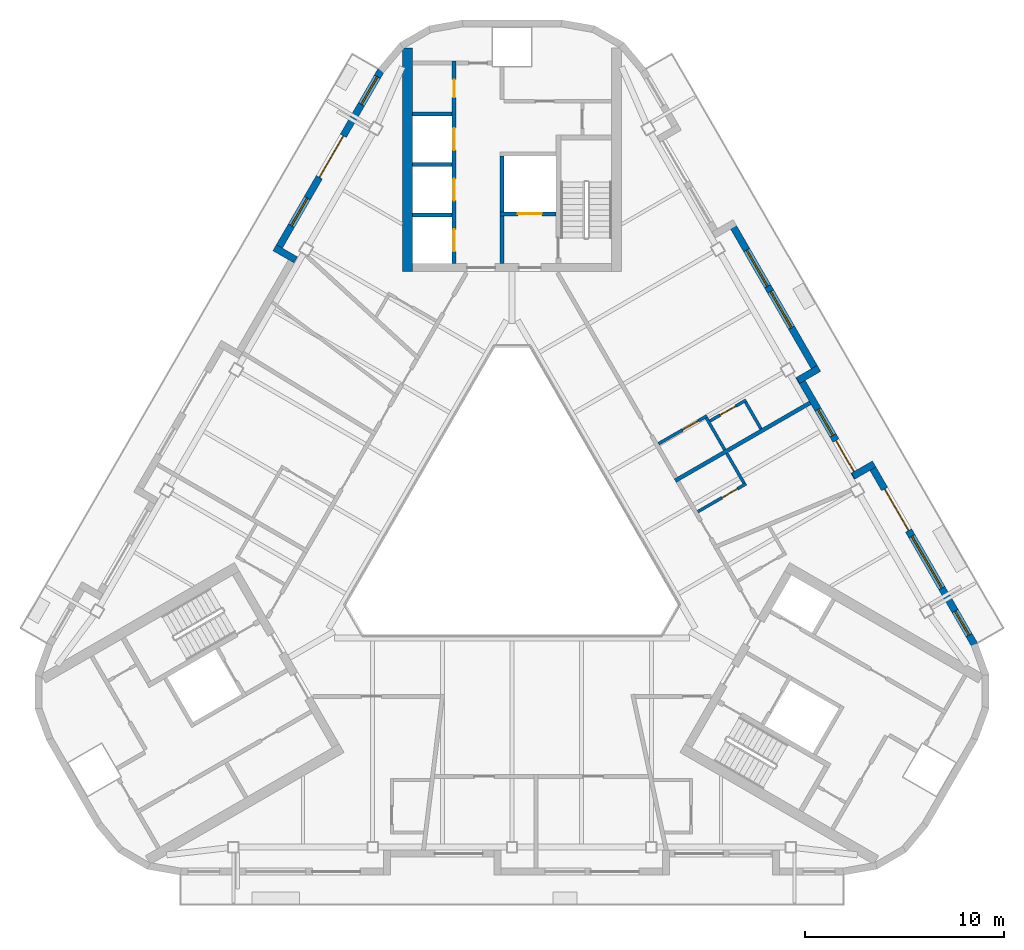
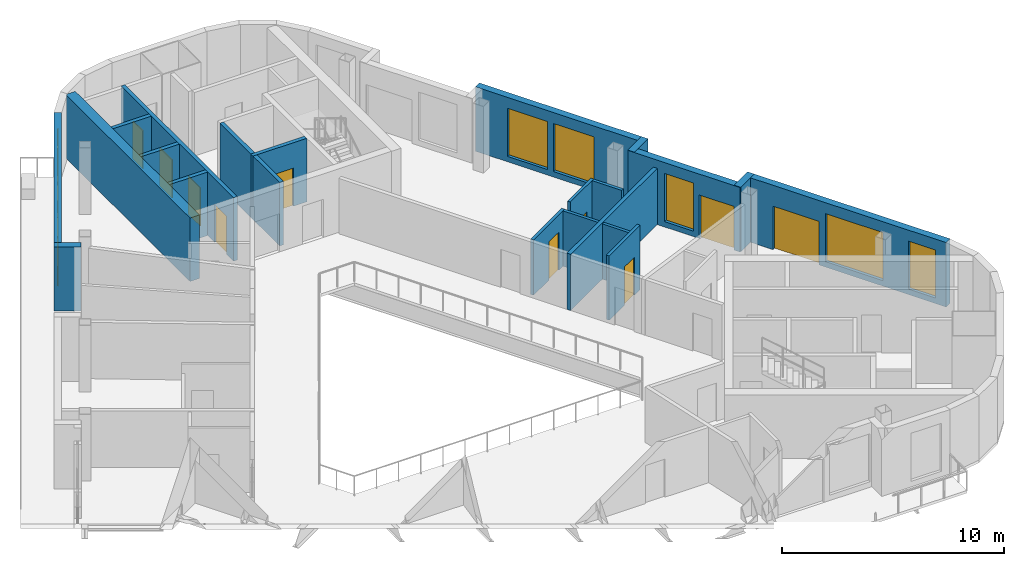
# One storey, part 6 of 12: 22 walls, 11 doors, 7 windows, 18 openings.
"""IFC4 building model written with IfcOpenShell, lengths in metres."""

import ifcopenshell
import ifcopenshell.guid

model = None  # the IFC model being written
_history = None  # IfcOwnerHistory: only IFC2X3 demands one
_inside = {}  # id of a spatial element -> (the spatial element, [elements in it])
_under = {}  # id of a project, library or spatial element -> (it, [spatial elements below it])
_declared = {}  # id of a project -> (the project, [libraries it declares])
_typed = {}  # id of a type object -> (the type object, [elements of that type])
_made_of = {}  # id of a material, layer set ... -> (it, [elements and type objects made of it])


def new_model(schema):
    """Start an empty IFC model of exactly this schema.

    Asked for "IFC4X3", IfcOpenShell would pick the latest addendum, in which some entities
    have other attributes; the version numbers below select the first issue.
    IFC2X3 requires an IfcOwnerHistory on every rooted entity: one is made here for all.
    """
    global model, _history
    if schema == "IFC4X3":
        model = ifcopenshell.file(schema_version=(4, 3, 0, 0))
    else:
        model = ifcopenshell.file(schema=schema)
    _inside.clear()
    _under.clear()
    _declared.clear()
    _typed.clear()
    _made_of.clear()
    _history = None
    if model.schema == "IFC2X3":
        org = make("IfcOrganization", Name="unknown")
        user = make(
            "IfcPersonAndOrganization",
            ThePerson=make("IfcPerson", FamilyName="unknown"),
            TheOrganization=org,
        )
        app = make(
            "IfcApplication",
            ApplicationDeveloper=org,
            Version="unknown",
            ApplicationFullName="unknown",
            ApplicationIdentifier="unknown",
        )
        _history = make(
            "IfcOwnerHistory",
            OwningUser=user,
            OwningApplication=app,
            ChangeAction="ADDED",
            CreationDate=0,
        )
    return model


def make(cls, **values):
    """One entity of the class cls with the attributes given. An attribute that is None is left unset."""
    return model.create_entity(
        cls, **{name: value for name, value in values.items() if value is not None}
    )


def rooted(cls, **values):
    """An entity with a GlobalId (a new one), such as an element, a storey or a relation."""
    return make(cls, GlobalId=ifcopenshell.guid.new(), OwnerHistory=_history, **values)


def si_unit(unit_type, name, prefix=None):
    """IfcSIUnit, for example si_unit("LENGTHUNIT", "METRE", prefix="MILLI")."""
    return make("IfcSIUnit", UnitType=unit_type, Prefix=prefix, Name=name)


def assignment(units):
    """IfcUnitAssignment: the units of a project."""
    return None if units is None else make("IfcUnitAssignment", Units=units)


def point(xyz):
    """IfcCartesianPoint."""
    return None if xyz is None else make("IfcCartesianPoint", Coordinates=xyz)


def direction(xyz):
    """IfcDirection."""
    return None if xyz is None else make("IfcDirection", DirectionRatios=xyz)


def frame(location, z_axis=None, x_axis=None):
    """IfcAxis2Placement3D, a coordinate frame: its origin and axes. An axis left out is left unset."""
    return make(
        "IfcAxis2Placement3D",
        Location=point(location),
        Axis=direction(z_axis),
        RefDirection=direction(x_axis),
    )


def frame_2d(location, x_axis=None):
    """IfcAxis2Placement2D, a coordinate frame in the plane: its origin and x axis."""
    return make(
        "IfcAxis2Placement2D", Location=point(location), RefDirection=direction(x_axis)
    )


def origin():
    """The frame at (0, 0, 0) with its axes left unset."""
    return frame((0.0, 0.0, 0.0))


def place(relative_to, where):
    """IfcLocalPlacement: puts the frame where relative to a parent placement (None: the world)."""
    return make(
        "IfcLocalPlacement", PlacementRelTo=relative_to, RelativePlacement=where
    )


def context(
    kind, dimensions, precision=None, world=None, true_north=None, identifier=None
):
    """IfcGeometricRepresentationContext, for example the 3D "Model" context."""
    return make(
        "IfcGeometricRepresentationContext",
        ContextIdentifier=identifier,
        ContextType=kind,
        CoordinateSpaceDimension=dimensions,
        Precision=precision,
        WorldCoordinateSystem=world,
        TrueNorth=true_north,
    )


def subcontext(parent, identifier, kind, view, scale=None):
    """IfcGeometricRepresentationSubContext, for example "Body" below "Model"."""
    return make(
        "IfcGeometricRepresentationSubContext",
        ContextIdentifier=identifier,
        ContextType=kind,
        ParentContext=parent,
        TargetScale=scale,
        TargetView=view,
    )


def project(units=None, contexts=None):
    """IfcProject with its units and contexts."""
    return rooted(
        "IfcProject",
        Name="project",
        RepresentationContexts=contexts,
        UnitsInContext=assignment(units),
    )


def spatial(cls, under=None, at=None, **own):
    """A site, building, storey or space (cls), placed at a placement, below another one or the project."""
    s = rooted(cls, ObjectPlacement=at, **own)
    if under is not None:
        _under.setdefault(under.id(), (under, []))[1].append(s)
    return s


def profile(cls, at=None, kind="AREA", **sizes):
    """A parametric profile (cls). Its sizes go by their IFC names, for example OverallWidth=200.0."""
    return make(cls, ProfileType=kind, Position=at, **sizes)


def rectangle(**sizes):
    """IfcRectangleProfileDef."""
    return profile("IfcRectangleProfileDef", **sizes)


def extrude(swept, where, along, depth):
    """IfcExtrudedAreaSolid: the profile swept, set in the frame where, extruded along a direction by depth."""
    return make(
        "IfcExtrudedAreaSolid",
        SweptArea=swept,
        Position=where,
        ExtrudedDirection=direction(along),
        Depth=depth,
    )


def shape(context_of_items, identifier, shape_type, items):
    """IfcShapeRepresentation: the items that make up one representation, for example the "Body"."""
    return make(
        "IfcShapeRepresentation",
        ContextOfItems=context_of_items,
        RepresentationIdentifier=identifier,
        RepresentationType=shape_type,
        Items=items,
    )


def material(Name=None, Category=None):
    """IfcMaterial."""
    return make("IfcMaterial", Name=Name, Category=Category)


def layer(
    of_material, thickness, ventilated=None, Name=None, Category=None, Priority=None
):
    """IfcMaterialLayer: one layer of a wall or slab, of a material (None: an air gap)."""
    return make(
        "IfcMaterialLayer",
        Material=of_material,
        LayerThickness=thickness,
        IsVentilated=ventilated,
        Name=Name,
        Category=Category,
        Priority=Priority,
    )


def layer_set(layers, Name=None):
    """IfcMaterialLayerSet."""
    return make("IfcMaterialLayerSet", MaterialLayers=layers, LayerSetName=Name)


def made_of(thing, what):
    """Note that an element or type object is made of a material, layer set ...; save() writes the relation."""
    if what is not None:
        _made_of.setdefault(what.id(), (what, []))[1].append(thing)
    return thing


def type_object(cls, material=None, **own):
    """A type object (cls), such as IfcWallType, which elements share."""
    return made_of(rooted(cls, **own), material)


def element(
    cls,
    number,
    at=None,
    inside=None,
    cuts=None,
    type_object=None,
    material=None,
    context=None,
    identifier="Body",
    shape_type=None,
    held_by="IfcProductDefinitionShape",
    body=None,
    shapes=None,
    **own,
):
    """One element of the class cls, such as IfcWall. Its Tag is "e" and its number.

    at: its placement. inside: the storey or other place that contains it. cuts: it is an
    opening in that element (IfcRelVoidsElement). A single representation is given by context,
    identifier, shape_type and body (its items); several are given by shapes. held_by: the class
    of the entity that holds the representations. save() writes the other relations.
    """
    e = rooted(cls, Tag="e%d" % number, ObjectPlacement=at, **own)
    if body is not None:
        shapes = [shape(context, identifier, shape_type, body)]
    if shapes is not None:
        e.Representation = make(held_by, Representations=shapes)
    if inside is not None:
        _inside.setdefault(inside.id(), (inside, []))[1].append(e)
    if cuts is not None:
        rooted(
            "IfcRelVoidsElement", RelatingBuildingElement=cuts, RelatedOpeningElement=e
        )
    if type_object is not None:
        _typed.setdefault(type_object.id(), (type_object, []))[1].append(e)
    return made_of(e, material)


def fill(opening, filler):
    """IfcRelFillsElement: the door or window that sits in an opening."""
    return rooted(
        "IfcRelFillsElement",
        RelatingOpeningElement=opening,
        RelatedBuildingElement=filler,
    )


def aggregate(whole, parts):
    """IfcRelAggregates: a whole, such as a stair, and the parts it consists of."""
    return rooted("IfcRelAggregates", RelatingObject=whole, RelatedObjects=parts)


def save(model, path):
    """Write the relations noted so far, then the file.

    IfcRelAggregates (storeys below a building ...), IfcRelContainedInSpatialStructure (elements
    in a storey), IfcRelDefinesByType, IfcRelAssociatesMaterial and IfcRelDeclares: one each for
    every whole, place, type object, material and project.
    """
    for whole, parts in _under.values():
        aggregate(whole, parts)
    for where, things in _inside.values():
        rooted(
            "IfcRelContainedInSpatialStructure",
            RelatedElements=things,
            RelatingStructure=where,
        )
    for kind, things in _typed.values():
        rooted("IfcRelDefinesByType", RelatedObjects=things, RelatingType=kind)
    for what, things in _made_of.values():
        rooted("IfcRelAssociatesMaterial", RelatedObjects=things, RelatingMaterial=what)
    for by, libraries in _declared.values():
        rooted("IfcRelDeclares", RelatingContext=by, RelatedDefinitions=libraries)
    model.write(path)


model = new_model("IFC4")

# Units and contexts
model_context = context("Model", 3, precision=1e-05, world=origin(), true_north=direction((0.0, 1.0)))
body_context = subcontext(model_context, "Body", "Model", "MODEL_VIEW")
ifc_project = project(units=[si_unit("LENGTHUNIT", "METRE"), si_unit("AREAUNIT", "SQUARE_METRE"), si_unit("VOLUMEUNIT", "CUBIC_METRE"), si_unit("PLANEANGLEUNIT", "RADIAN"), si_unit("MASSUNIT", "GRAM", prefix="KILO")], contexts=[model_context])

# Site, building, storey
site_placement = place(None, origin())
site = spatial("IfcSite", under=ifc_project, at=site_placement, CompositionType="ELEMENT")
building_placement = place(site_placement, origin())
building = spatial("IfcBuilding", under=site, at=building_placement, Name="Apuvela Tower Hotel", CompositionType="ELEMENT")
storey_placement = place(building_placement, frame((0.0, 0.0, 294.800048828125)))
storey = spatial("IfcBuildingStorey", under=building, at=storey_placement, Name="L73", CompositionType="ELEMENT", Elevation=294.800048828125)

# Wall
ifc_material_1 = material(Name="Concrete C50/60", Category="concrete")
ifc_layer_1 = layer(ifc_material_1, 0.5)
ifc_layer_set_1 = layer_set([ifc_layer_1], Name="COR-WALL-CORE-500")
wall_type_1 = type_object("IfcWallType", Name="COR-WALL-CORE-500", PredefinedType="SHEAR", material=ifc_layer_set_1)
wall_1_placement = place(storey_placement, frame((-5.25, 12.89990234375, 0.0), z_axis=(0.0, 0.0, 1.0), x_axis=(0.0, 1.0, 0.0)))
element("IfcWall", 1, at=wall_1_placement, inside=storey, type_object=wall_type_1, Name="Core wall N", PredefinedType="SHEAR", context=body_context, shape_type="SweptSolid", body=[
    extrude(rectangle(XDim=11.2216796875, YDim=0.5, at=frame_2d((5.61083984375, 0.0))), origin(), (0.0, 0.0, 1.0), 3.5),
])

# Wall, opening, door
ifc_layer_2 = layer(ifc_material_1, 0.199951171875)
ifc_layer_set_2 = layer_set([ifc_layer_2], Name="COR-WALL-SHAFT-200")
wall_type_2 = type_object("IfcWallType", Name="COR-WALL-SHAFT-200", PredefinedType="SHEAR", material=ifc_layer_set_2)
wall_2_placement = place(storey_placement, frame((2.199951171875, 15.800048828125, 0.0), z_axis=(0.0, 0.0, 1.0), x_axis=(-1.0, 0.0, 0.0)))
wall_2 = element("IfcWall", 2, at=wall_2_placement, inside=storey, type_object=wall_type_2, Name="Shaft wall N", PredefinedType="SHEAR", context=body_context, shape_type="SweptSolid", body=[
    extrude(rectangle(XDim=2.800048828125, YDim=0.199951171875, at=frame_2d((1.39990234375, 0.0))), origin(), (0.0, 0.0, 1.0), 3.5),
])
opening_1_placement = place(wall_2_placement, frame((0.699951171875, 0.0, 0.0)))
opening_1 = element("IfcOpeningElement", 3, at=opening_1_placement, cuts=wall_2, Name="Opening N-LD-FS1", PredefinedType="OPENING", context=body_context, shape_type="SweptSolid", body=[
    extrude(rectangle(XDim=1.199951171875, YDim=2.10009765625, at=frame_2d((0.60009765625, 1.050048828125))), frame((0.0, 0.10986328125, 0.0), z_axis=(0.0, -1.0, 0.0), x_axis=(1.0, 0.0, 0.0)), (0.0, 0.0, 1.0), 0.219970703125),
])
ifc_material_2 = material(Name="Stainless steel lift landing door", Category="steel")
door_type_1 = type_object("IfcDoorType", Name="COR-LD-1200", OperationType="DOUBLE_DOOR_SLIDING", PredefinedType="DOOR", material=ifc_material_2)
door_1_placement = place(opening_1_placement, origin())
door_1 = element("IfcDoor", 4, at=door_1_placement, inside=storey, type_object=door_type_1, Name="Lift landing door N-LD-FS1", OperationType="DOUBLE_DOOR_SLIDING", OverallHeight=2.10009765625, OverallWidth=1.199951171875, PredefinedType="DOOR", context=body_context, shape_type="SweptSolid", body=[
    extrude(rectangle(XDim=1.199951171875, YDim=2.10009765625, at=frame_2d((0.60009765625, 1.050048828125))), frame((0.0, 0.02490234375, 0.0), z_axis=(0.0, -1.0, 0.0), x_axis=(1.0, 0.0, 0.0)), (0.0, 0.0, 1.0), 0.050048828125),
])
fill(opening_1, door_1)

# Walls
wall_3_placement = place(storey_placement, frame((-0.5, 15.89990234375, 0.0), z_axis=(0.0, 0.0, 1.0), x_axis=(0.0, 1.0, 0.0)))
element("IfcWall", 5, at=wall_3_placement, inside=storey, type_object=wall_type_2, Name="Shaft wall N", PredefinedType="SHEAR", context=body_context, shape_type="SweptSolid", body=[
    extrude(rectangle(XDim=2.800048828125, YDim=0.199951171875, at=frame_2d((1.39990234375, 0.0))), origin(), (0.0, 0.0, 1.0), 3.5),
])
wall_4_placement = place(storey_placement, frame((-0.5, 13.300048828125, 0.0), z_axis=(0.0, 0.0, 1.0), x_axis=(0.0, 1.0, 0.0)))
element("IfcWall", 6, at=wall_4_placement, inside=storey, type_object=wall_type_2, Name="Shaft wall N", PredefinedType="SHEAR", context=body_context, shape_type="SweptSolid", body=[
    extrude(rectangle(XDim=2.39990234375, YDim=0.199951171875, at=frame_2d((1.199951171875, 0.0))), origin(), (0.0, 0.0, 1.0), 3.5),
])

# Wall, openings, doors
wall_5_placement = place(storey_placement, frame((-2.89990234375, 13.300048828125, 0.0), z_axis=(0.0, 0.0, 1.0), x_axis=(0.0, 1.0, 0.0)))
wall_5 = element("IfcWall", 7, at=wall_5_placement, inside=storey, type_object=wall_type_2, Name="Shaft wall N", PredefinedType="SHEAR", context=body_context, shape_type="SweptSolid", body=[
    extrude(rectangle(XDim=10.159912109375, YDim=0.199951171875, at=frame_2d((5.080078125, 0.0))), origin(), (0.0, 0.0, 1.0), 3.5),
])
opening_2_placement = place(wall_5_placement, frame((0.6201171875, 0.0, 0.0)))
opening_2 = element("IfcOpeningElement", 8, at=opening_2_placement, cuts=wall_5, Name="Opening N-LD-HR1", PredefinedType="OPENING", context=body_context, shape_type="SweptSolid", body=[
    extrude(rectangle(XDim=1.10009765625, YDim=2.10009765625, at=frame_2d((0.550048828125, 1.050048828125))), frame((0.0, 0.10986328125, 0.0), z_axis=(0.0, -1.0, 0.0), x_axis=(1.0, 0.0, 0.0)), (0.0, 0.0, 1.0), 0.219970703125),
])
opening_3_placement = place(wall_5_placement, frame((3.159912109375, 0.0, 0.0)))
opening_3 = element("IfcOpeningElement", 9, at=opening_3_placement, cuts=wall_5, Name="Opening N-LD-HR2", PredefinedType="OPENING", context=body_context, shape_type="SweptSolid", body=[
    extrude(rectangle(XDim=1.10009765625, YDim=2.10009765625, at=frame_2d((0.550048828125, 1.050048828125))), frame((0.0, 0.10986328125, 0.0), z_axis=(0.0, -1.0, 0.0), x_axis=(1.0, 0.0, 0.0)), (0.0, 0.0, 1.0), 0.219970703125),
])
opening_4_placement = place(wall_5_placement, frame((5.699951171875, 0.0, 0.0)))
opening_4 = element("IfcOpeningElement", 10, at=opening_4_placement, cuts=wall_5, Name="Opening N-LD-HR4", PredefinedType="OPENING", context=body_context, shape_type="SweptSolid", body=[
    extrude(rectangle(XDim=1.10009765625, YDim=2.10009765625, at=frame_2d((0.550048828125, 1.050048828125))), frame((0.0, 0.10986328125, 0.0), z_axis=(0.0, -1.0, 0.0), x_axis=(1.0, 0.0, 0.0)), (0.0, 0.0, 1.0), 0.219970703125),
])
opening_5_placement = place(wall_5_placement, frame((8.340087890625, 0.0, 0.0)))
opening_5 = element("IfcOpeningElement", 11, at=opening_5_placement, cuts=wall_5, Name="Opening N-RE4", PredefinedType="OPENING", context=body_context, shape_type="SweptSolid", body=[
    extrude(rectangle(XDim=0.89990234375, YDim=2.10009765625, at=frame_2d((0.449951171875, 1.050048828125))), frame((0.0, 0.10986328125, 0.0), z_axis=(0.0, -1.0, 0.0), x_axis=(1.0, 0.0, 0.0)), (0.0, 0.0, 1.0), 0.219970703125),
])
ifc_material_3 = material(Name="Steel fire door, powder coated", Category="steel")
door_type_2 = type_object("IfcDoorType", Name="COR-DR-900", OperationType="NOTDEFINED", PredefinedType="DOOR", material=ifc_material_3)
door_2_placement = place(opening_5_placement, origin())
door_2 = element("IfcDoor", 12, at=door_2_placement, inside=storey, type_object=door_type_2, Name="Store door N-RE4", OperationType="SINGLE_SWING_LEFT", OverallHeight=2.10009765625, OverallWidth=0.89990234375, PredefinedType="DOOR", context=body_context, shape_type="SweptSolid", body=[
    extrude(rectangle(XDim=0.89990234375, YDim=2.10009765625, at=frame_2d((0.449951171875, 1.050048828125))), frame((0.0, 0.02490234375, 0.0), z_axis=(0.0, -1.0, 0.0), x_axis=(1.0, 0.0, 0.0)), (0.0, 0.0, 1.0), 0.050048828125),
])
fill(opening_5, door_2)
door_type_3 = type_object("IfcDoorType", Name="COR-LD-1100", OperationType="DOUBLE_DOOR_SLIDING", PredefinedType="DOOR", material=ifc_material_2)
door_3_placement = place(opening_2_placement, origin())
door_3 = element("IfcDoor", 13, at=door_3_placement, inside=storey, type_object=door_type_3, Name="Lift landing door N-LD-HR1", OperationType="DOUBLE_DOOR_SLIDING", OverallHeight=2.10009765625, OverallWidth=1.10009765625, PredefinedType="DOOR", context=body_context, shape_type="SweptSolid", body=[
    extrude(rectangle(XDim=1.10009765625, YDim=2.10009765625, at=frame_2d((0.550048828125, 1.050048828125))), frame((0.0, 0.02490234375, 0.0), z_axis=(0.0, -1.0, 0.0), x_axis=(1.0, 0.0, 0.0)), (0.0, 0.0, 1.0), 0.050048828125),
])
fill(opening_2, door_3)
door_4_placement = place(opening_3_placement, origin())
door_4 = element("IfcDoor", 14, at=door_4_placement, inside=storey, type_object=door_type_3, Name="Lift landing door N-LD-HR2", OperationType="DOUBLE_DOOR_SLIDING", OverallHeight=2.10009765625, OverallWidth=1.10009765625, PredefinedType="DOOR", context=body_context, shape_type="SweptSolid", body=[
    extrude(rectangle(XDim=1.10009765625, YDim=2.10009765625, at=frame_2d((0.550048828125, 1.050048828125))), frame((0.0, 0.02490234375, 0.0), z_axis=(0.0, -1.0, 0.0), x_axis=(1.0, 0.0, 0.0)), (0.0, 0.0, 1.0), 0.050048828125),
])
fill(opening_3, door_4)
door_5_placement = place(opening_4_placement, origin())
door_5 = element("IfcDoor", 15, at=door_5_placement, inside=storey, type_object=door_type_3, Name="Lift landing door N-LD-HR4", OperationType="DOUBLE_DOOR_SLIDING", OverallHeight=2.10009765625, OverallWidth=1.10009765625, PredefinedType="DOOR", context=body_context, shape_type="SweptSolid", body=[
    extrude(rectangle(XDim=1.10009765625, YDim=2.10009765625, at=frame_2d((0.550048828125, 1.050048828125))), frame((0.0, 0.02490234375, 0.0), z_axis=(0.0, -1.0, 0.0), x_axis=(1.0, 0.0, 0.0)), (0.0, 0.0, 1.0), 0.050048828125),
])
fill(opening_4, door_5)

# Walls
for number, where, z_axis, x_axis, name in (
    (16, (-3.0, 15.739990234375, 0.0), (0.0, 0.0, 1.0), (-1.0, 0.0, 0.0), "Shaft wall N"),
    (17, (-3.0, 18.280029296875, 0.0), (0.0, 0.0, 1.0), (-1.0, 0.0, 0.0), "Shaft wall N"),
    (18, (-3.0, 20.820068359375, 0.0), (0.0, 0.0, 1.0), (-1.0, 0.0, 0.0), "Shaft wall N"),
):
    element("IfcWall", number, at=place(storey_placement, frame(where, z_axis=z_axis, x_axis=x_axis)), inside=storey, type_object=wall_type_2, Name=name, PredefinedType="SHEAR", context=body_context, shape_type="SweptSolid", body=[
        extrude(rectangle(XDim=2.0, YDim=0.199951171875, at=frame_2d((1.0, 0.0))), origin(), (0.0, 0.0, 1.0), 3.5),
    ])

# Wall, openings, door, windows
ifc_material_4 = material(Name="Concrete C40/50, dark pigmented precast panel", Category="concrete")
ifc_layer_3 = layer(ifc_material_4, 0.35009765625)
ifc_layer_set_3 = layer_set([ifc_layer_3], Name="ENV-WALL-350")
wall_type_3 = type_object("IfcWallType", Name="ENV-WALL-350", PredefinedType="SOLIDWALL", material=ifc_layer_set_3)
wall_6_placement = place(storey_placement, frame((-6.563232421875, 23.00537109375, 0.0), z_axis=(0.0, 0.0, 1.0), x_axis=(-0.500010118922, -0.866019561543, 0.0)))
wall_6 = element("IfcWall", 19, at=wall_6_placement, inside=storey, type_object=wall_type_3, Name="External wall L73-01", PredefinedType="SOLIDWALL", context=body_context, shape_type="SweptSolid", body=[
    extrude(rectangle(XDim=10.554443359375, YDim=0.35009765625, at=frame_2d((5.27734375, 0.0))), origin(), (0.0, 0.0, 1.0), 3.550048828125),
])
opening_6_placement = place(wall_6_placement, frame((0.380126953125, 0.0, 0.300048828125)))
opening_6 = element("IfcOpeningElement", 20, at=opening_6_placement, cuts=wall_6, Name="Opening WN16", PredefinedType="OPENING", context=body_context, shape_type="SweptSolid", body=[
    extrude(rectangle(XDim=1.60009765625, YDim=2.64990234375, at=frame_2d((0.800048828125, 1.324951171875))), frame((0.0, 0.18505859375, 0.0), z_axis=(0.0, -1.0, 0.0), x_axis=(1.0, 0.0, 0.0)), (0.0, 0.0, 1.0), 0.3701171875),
])
opening_7_placement = place(wall_6_placement, frame((3.798095703125, 0.0, 0.0)))
opening_7 = element("IfcOpeningElement", 21, at=opening_7_placement, cuts=wall_6, Name="Opening BD24", PredefinedType="OPENING", context=body_context, shape_type="SweptSolid", body=[
    extrude(rectangle(XDim=2.39990234375, YDim=2.39990234375, at=frame_2d((1.199951171875, 1.199951171875))), frame((0.0, 0.18505859375, 0.0), z_axis=(0.0, -1.0, 0.0), x_axis=(1.0, 0.0, 0.0)), (0.0, 0.0, 1.0), 0.3701171875),
])
opening_8_placement = place(wall_6_placement, frame((7.404052734375, 0.0, 0.300048828125)))
opening_8 = element("IfcOpeningElement", 22, at=opening_8_placement, cuts=wall_6, Name="Opening WN16", PredefinedType="OPENING", context=body_context, shape_type="SweptSolid", body=[
    extrude(rectangle(XDim=1.60009765625, YDim=2.64990234375, at=frame_2d((0.800048828125, 1.324951171875))), frame((0.0, 0.18505859375, 0.0), z_axis=(0.0, -1.0, 0.0), x_axis=(1.0, 0.0, 0.0)), (0.0, 0.0, 1.0), 0.3701171875),
])
ifc_material_5 = material(Name="Aluminium 6063-T6, dark bronze anodised frame with dark tinted laminated glass", Category="aluminium")
door_type_4 = type_object("IfcDoorType", Name="ENV-DOOR-BALCONY-2400x2400", OperationType="SLIDING_TO_LEFT", PredefinedType="DOOR", material=ifc_material_5)
door_6_placement = place(opening_7_placement, frame((2.39990234375, 0.0, 0.0), z_axis=(0.0, 0.0, 1.0), x_axis=(-1.0, 0.0, 0.0)))
door_6 = element("IfcDoor", 23, at=door_6_placement, inside=storey, type_object=door_type_4, Name="Balcony door BD24", OperationType="SLIDING_TO_LEFT", OverallHeight=2.39990234375, OverallWidth=2.39990234375, PredefinedType="DOOR", context=body_context, shape_type="SweptSolid", body=[
    extrude(rectangle(XDim=2.39990234375, YDim=2.39990234375, at=frame_2d((1.199951171875, 1.199951171875))), frame((0.0, 0.02490234375, 0.0), z_axis=(0.0, -1.0, 0.0), x_axis=(1.0, 0.0, 0.0)), (0.0, 0.0, 1.0), 0.050048828125),
])
fill(opening_7, door_6)
ifc_material_6 = material(Name="Glass, dark tinted laminated insulated glazing unit", Category="glass")
window_type_1 = type_object("IfcWindowType", Name="ENV-WIN-1600x2650", PartitioningType="SINGLE_PANEL", PredefinedType="WINDOW", material=ifc_material_6)
window_1_placement = place(opening_6_placement, origin())
window_1 = element("IfcWindow", 24, at=window_1_placement, inside=storey, type_object=window_type_1, Name="Window WN16", OverallHeight=2.64990234375, OverallWidth=1.60009765625, PartitioningType="SINGLE_PANEL", PredefinedType="WINDOW", context=body_context, shape_type="SweptSolid", body=[
    extrude(rectangle(XDim=1.60009765625, YDim=2.64990234375, at=frame_2d((0.800048828125, 1.324951171875))), frame((0.0, 0.030029296875, 0.0), z_axis=(0.0, -1.0, 0.0), x_axis=(1.0, 0.0, 0.0)), (0.0, 0.0, 1.0), 0.06005859375),
])
fill(opening_6, window_1)
window_2_placement = place(opening_8_placement, origin())
window_2 = element("IfcWindow", 25, at=window_2_placement, inside=storey, type_object=window_type_1, Name="Window WN16", OverallHeight=2.64990234375, OverallWidth=1.60009765625, PartitioningType="SINGLE_PANEL", PredefinedType="WINDOW", context=body_context, shape_type="SweptSolid", body=[
    extrude(rectangle(XDim=1.60009765625, YDim=2.64990234375, at=frame_2d((0.800048828125, 1.324951171875))), frame((0.0, 0.030029296875, 0.0), z_axis=(0.0, -1.0, 0.0), x_axis=(1.0, 0.0, 0.0)), (0.0, 0.0, 1.0), 0.06005859375),
])
fill(opening_8, window_2)

# Wall
wall_7_placement = place(storey_placement, frame((-11.904541015625, 14.10400390625, 0.0), z_axis=(0.0, 0.0, 1.0), x_axis=(0.866005645448, -0.500034220881, 0.0)))
element("IfcWall", 26, at=wall_7_placement, inside=storey, type_object=wall_type_3, Name="External wall L73-02", PredefinedType="SOLIDWALL", context=body_context, shape_type="SweptSolid", body=[
    extrude(rectangle(XDim=1.22021484375, YDim=0.35009765625, at=frame_2d((0.610107421875, 0.0))), origin(), (0.0, 0.0, 1.0), 3.550048828125),
])

# Wall, openings, door, windows
wall_8_placement = place(storey_placement, frame((23.204833984375, -5.818603515625, 0.0), z_axis=(0.0, 0.0, 1.0), x_axis=(-0.500010118922, 0.866019561543, 0.0)))
wall_8 = element("IfcWall", 27, at=wall_8_placement, inside=storey, type_object=wall_type_3, Name="External wall L73-33", PredefinedType="SOLIDWALL", context=body_context, shape_type="SweptSolid", body=[
    extrude(rectangle(XDim=10.554443359375, YDim=0.35009765625, at=frame_2d((5.27734375, 0.0))), origin(), (0.0, 0.0, 1.0), 3.550048828125),
])
opening_9_placement = place(wall_8_placement, frame((0.56640625, 0.0, 0.300048828125)))
opening_9 = element("IfcOpeningElement", 28, at=opening_9_placement, cuts=wall_8, Name="Opening WN14", PredefinedType="OPENING", context=body_context, shape_type="SweptSolid", body=[
    extrude(rectangle(XDim=1.39990234375, YDim=2.64990234375, at=frame_2d((0.699951171875, 1.324951171875))), frame((0.0, 0.18505859375, 0.0), z_axis=(0.0, -1.0, 0.0), x_axis=(1.0, 0.0, 0.0)), (0.0, 0.0, 1.0), 0.3701171875),
])
opening_10_placement = place(wall_8_placement, frame((6.629638671875, 0.0, 0.0)))
opening_10 = element("IfcOpeningElement", 29, at=opening_10_placement, cuts=wall_8, Name="Opening BD24", PredefinedType="OPENING", context=body_context, shape_type="SweptSolid", body=[
    extrude(rectangle(XDim=2.39990234375, YDim=2.39990234375, at=frame_2d((1.199951171875, 1.199951171875))), frame((0.0, 0.18505859375, 0.0), z_axis=(0.0, -1.0, 0.0), x_axis=(1.0, 0.0, 0.0)), (0.0, 0.0, 1.0), 0.3701171875),
])
opening_11_placement = place(wall_8_placement, frame((3.2919921875, 0.0, 0.300048828125)))
opening_11 = element("IfcOpeningElement", 30, at=opening_11_placement, cuts=wall_8, Name="Opening WN30", PredefinedType="OPENING", context=body_context, shape_type="SweptSolid", body=[
    extrude(rectangle(XDim=3.0, YDim=2.64990234375, at=frame_2d((1.5, 1.324951171875))), frame((0.0, 0.18505859375, 0.0), z_axis=(0.0, -1.0, 0.0), x_axis=(1.0, 0.0, 0.0)), (0.0, 0.0, 1.0), 0.3701171875),
])
door_7_placement = place(opening_10_placement, frame((2.39990234375, 0.0, 0.0), z_axis=(0.0, 0.0, 1.0), x_axis=(-1.0, 0.0, 0.0)))
door_7 = element("IfcDoor", 31, at=door_7_placement, inside=storey, type_object=door_type_4, Name="Balcony door BD24", OperationType="SLIDING_TO_LEFT", OverallHeight=2.39990234375, OverallWidth=2.39990234375, PredefinedType="DOOR", context=body_context, shape_type="SweptSolid", body=[
    extrude(rectangle(XDim=2.39990234375, YDim=2.39990234375, at=frame_2d((1.199951171875, 1.199951171875))), frame((0.0, 0.02490234375, 0.0), z_axis=(0.0, -1.0, 0.0), x_axis=(1.0, 0.0, 0.0)), (0.0, 0.0, 1.0), 0.050048828125),
])
fill(opening_10, door_7)
window_type_2 = type_object("IfcWindowType", Name="ENV-WIN-1400x2650", PartitioningType="SINGLE_PANEL", PredefinedType="WINDOW", material=ifc_material_6)
window_3_placement = place(opening_9_placement, origin())
window_3 = element("IfcWindow", 32, at=window_3_placement, inside=storey, type_object=window_type_2, Name="Window WN14", OverallHeight=2.64990234375, OverallWidth=1.39990234375, PartitioningType="SINGLE_PANEL", PredefinedType="WINDOW", context=body_context, shape_type="SweptSolid", body=[
    extrude(rectangle(XDim=1.39990234375, YDim=2.64990234375, at=frame_2d((0.699951171875, 1.324951171875))), frame((0.0, 0.030029296875, 0.0), z_axis=(0.0, -1.0, 0.0), x_axis=(1.0, 0.0, 0.0)), (0.0, 0.0, 1.0), 0.06005859375),
])
fill(opening_9, window_3)
window_type_3 = type_object("IfcWindowType", Name="ENV-WIN-3000x2650", PartitioningType="SINGLE_PANEL", PredefinedType="WINDOW", material=ifc_material_6)
window_4_placement = place(opening_11_placement, origin())
window_4 = element("IfcWindow", 33, at=window_4_placement, inside=storey, type_object=window_type_3, Name="Window WN30", OverallHeight=2.64990234375, OverallWidth=3.0, PartitioningType="SINGLE_PANEL", PredefinedType="WINDOW", context=body_context, shape_type="SweptSolid", body=[
    extrude(rectangle(XDim=3.0, YDim=2.64990234375, at=frame_2d((1.5, 1.324951171875))), frame((0.0, 0.030029296875, 0.0), z_axis=(0.0, -1.0, 0.0), x_axis=(1.0, 0.0, 0.0)), (0.0, 0.0, 1.0), 0.06005859375),
])
fill(opening_11, window_4)

# Wall
wall_9_placement = place(storey_placement, frame((18.166748046875, 3.2578125, 0.0), z_axis=(0.0, 0.0, 1.0), x_axis=(-0.866005645448, -0.500034220881, 0.0)))
element("IfcWall", 34, at=wall_9_placement, inside=storey, type_object=wall_type_3, Name="External wall L73-34", PredefinedType="SOLIDWALL", context=body_context, shape_type="SweptSolid", body=[
    extrude(rectangle(XDim=1.22021484375, YDim=0.35009765625, at=frame_2d((0.610107421875, 0.0))), origin(), (0.0, 0.0, 1.0), 3.550048828125),
])

# Wall, openings, door, window
wall_10_placement = place(storey_placement, frame((17.30810546875, 2.5947265625, 0.0), z_axis=(0.0, 0.0, 1.0), x_axis=(-0.500005339912, 0.866022320763, 0.0)))
wall_10 = element("IfcWall", 35, at=wall_10_placement, inside=storey, type_object=wall_type_3, Name="External wall L73-35", PredefinedType="SOLIDWALL", context=body_context, shape_type="SweptSolid", body=[
    extrude(rectangle(XDim=5.8271484375, YDim=0.35009765625, at=frame_2d((2.91357421875, 0.0))), origin(), (0.0, 0.0, 1.0), 3.550048828125),
])
opening_12_placement = place(wall_10_placement, frame((0.320068359375, 0.0, 0.0)))
opening_12 = element("IfcOpeningElement", 36, at=opening_12_placement, cuts=wall_10, Name="Opening BD18", PredefinedType="OPENING", context=body_context, shape_type="SweptSolid", body=[
    extrude(rectangle(XDim=1.800048828125, YDim=2.39990234375, at=frame_2d((0.89990234375, 1.199951171875))), frame((0.0, 0.18505859375, 0.0), z_axis=(0.0, -1.0, 0.0), x_axis=(1.0, 0.0, 0.0)), (0.0, 0.0, 1.0), 0.3701171875),
])
opening_13_placement = place(wall_10_placement, frame((2.419921875, 0.0, 0.300048828125)))
opening_13 = element("IfcOpeningElement", 37, at=opening_13_placement, cuts=wall_10, Name="Opening WN15", PredefinedType="OPENING", context=body_context, shape_type="SweptSolid", body=[
    extrude(rectangle(XDim=1.5, YDim=2.64990234375, at=frame_2d((0.75, 1.324951171875))), frame((0.0, 0.18505859375, 0.0), z_axis=(0.0, -1.0, 0.0), x_axis=(1.0, 0.0, 0.0)), (0.0, 0.0, 1.0), 0.3701171875),
])
door_type_5 = type_object("IfcDoorType", Name="ENV-DOOR-BALCONY-1800x2400", OperationType="SLIDING_TO_LEFT", PredefinedType="DOOR", material=ifc_material_5)
door_8_placement = place(opening_12_placement, frame((1.800048828125, 0.0, 0.0), z_axis=(0.0, 0.0, 1.0), x_axis=(-1.0, 0.0, 0.0)))
door_8 = element("IfcDoor", 38, at=door_8_placement, inside=storey, type_object=door_type_5, Name="Balcony door BD18", OperationType="SLIDING_TO_LEFT", OverallHeight=2.39990234375, OverallWidth=1.800048828125, PredefinedType="DOOR", context=body_context, shape_type="SweptSolid", body=[
    extrude(rectangle(XDim=1.800048828125, YDim=2.39990234375, at=frame_2d((0.89990234375, 1.199951171875))), frame((0.0, 0.02490234375, 0.0), z_axis=(0.0, -1.0, 0.0), x_axis=(1.0, 0.0, 0.0)), (0.0, 0.0, 1.0), 0.050048828125),
])
fill(opening_12, door_8)
window_type_4 = type_object("IfcWindowType", Name="ENV-WIN-1500x2650", PartitioningType="SINGLE_PANEL", PredefinedType="WINDOW", material=ifc_material_6)
window_5_placement = place(opening_13_placement, origin())
window_5 = element("IfcWindow", 39, at=window_5_placement, inside=storey, type_object=window_type_4, Name="Window WN15", OverallHeight=2.64990234375, OverallWidth=1.5, PartitioningType="SINGLE_PANEL", PredefinedType="WINDOW", context=body_context, shape_type="SweptSolid", body=[
    extrude(rectangle(XDim=1.5, YDim=2.64990234375, at=frame_2d((0.75, 1.324951171875))), frame((0.0, 0.030029296875, 0.0), z_axis=(0.0, -1.0, 0.0), x_axis=(1.0, 0.0, 0.0)), (0.0, 0.0, 1.0), 0.06005859375),
])
fill(opening_13, window_5)

# Wall
wall_11_placement = place(storey_placement, frame((14.341552734375, 7.443115234375, 0.0), z_axis=(0.0, 0.0, 1.0), x_axis=(0.866092288191, 0.499884134912, 0.0)))
element("IfcWall", 40, at=wall_11_placement, inside=storey, type_object=wall_type_3, Name="External wall L73-36", PredefinedType="SOLIDWALL", context=body_context, shape_type="SweptSolid", body=[
    extrude(rectangle(XDim=1.219970703125, YDim=0.35009765625, at=frame_2d((0.60986328125, 0.0))), origin(), (0.0, 0.0, 1.0), 3.550048828125),
])

# Wall, openings, windows
wall_12_placement = place(storey_placement, frame((15.333984375, 7.81396484375, 0.0), z_axis=(0.0, 0.0, 1.0), x_axis=(-0.499999835575, 0.866025498715, 0.0)))
wall_12 = element("IfcWall", 41, at=wall_12_placement, inside=storey, type_object=wall_type_3, Name="External wall L73-37", PredefinedType="SOLIDWALL", context=body_context, shape_type="SweptSolid", body=[
    extrude(rectangle(XDim=8.787109375, YDim=0.35009765625, at=frame_2d((4.3935546875, 0.0))), origin(), (0.0, 0.0, 1.0), 3.550048828125),
])
opening_14_placement = place(wall_12_placement, frame((2.629150390625, 0.0, 0.300048828125)))
opening_14 = element("IfcOpeningElement", 42, at=opening_14_placement, cuts=wall_12, Name="Opening WN21", PredefinedType="OPENING", context=body_context, shape_type="SweptSolid", body=[
    extrude(rectangle(XDim=2.10009765625, YDim=2.64990234375, at=frame_2d((1.050048828125, 1.324951171875))), frame((0.0, 0.18505859375, 0.0), z_axis=(0.0, -1.0, 0.0), x_axis=(1.0, 0.0, 0.0)), (0.0, 0.0, 1.0), 0.3701171875),
])
opening_15_placement = place(wall_12_placement, frame((5.029052734375, 0.0, 0.300048828125)))
opening_15 = element("IfcOpeningElement", 43, at=opening_15_placement, cuts=wall_12, Name="Opening WN21", PredefinedType="OPENING", context=body_context, shape_type="SweptSolid", body=[
    extrude(rectangle(XDim=2.10009765625, YDim=2.64990234375, at=frame_2d((1.050048828125, 1.324951171875))), frame((0.0, 0.18505859375, 0.0), z_axis=(0.0, -1.0, 0.0), x_axis=(1.0, 0.0, 0.0)), (0.0, 0.0, 1.0), 0.3701171875),
])
window_type_5 = type_object("IfcWindowType", Name="ENV-WIN-2100x2650", PartitioningType="SINGLE_PANEL", PredefinedType="WINDOW", material=ifc_material_6)
window_6_placement = place(opening_14_placement, origin())
window_6 = element("IfcWindow", 44, at=window_6_placement, inside=storey, type_object=window_type_5, Name="Window WN21", OverallHeight=2.64990234375, OverallWidth=2.10009765625, PartitioningType="SINGLE_PANEL", PredefinedType="WINDOW", context=body_context, shape_type="SweptSolid", body=[
    extrude(rectangle(XDim=2.10009765625, YDim=2.64990234375, at=frame_2d((1.050048828125, 1.324951171875))), frame((0.0, 0.030029296875, 0.0), z_axis=(0.0, -1.0, 0.0), x_axis=(1.0, 0.0, 0.0)), (0.0, 0.0, 1.0), 0.06005859375),
])
fill(opening_14, window_6)
window_7_placement = place(opening_15_placement, origin())
window_7 = element("IfcWindow", 45, at=window_7_placement, inside=storey, type_object=window_type_5, Name="Window WN21", OverallHeight=2.64990234375, OverallWidth=2.10009765625, PartitioningType="SINGLE_PANEL", PredefinedType="WINDOW", context=body_context, shape_type="SweptSolid", body=[
    extrude(rectangle(XDim=2.10009765625, YDim=2.64990234375, at=frame_2d((1.050048828125, 1.324951171875))), frame((0.0, 0.030029296875, 0.0), z_axis=(0.0, -1.0, 0.0), x_axis=(1.0, 0.0, 0.0)), (0.0, 0.0, 1.0), 0.06005859375),
])
fill(opening_15, window_7)

# Wall
ifc_material_7 = material(Name="Gypsum board partition on twin steel stud", Category="steel")
ifc_layer_4 = layer(ifc_material_7, 0.199951171875)
ifc_layer_set_4 = layer_set([ifc_layer_4], Name="GST-PW1")
wall_type_4 = type_object("IfcWallType", Name="GST-PW1", PredefinedType="PARTITIONING", material=ifc_layer_set_4)
wall_13_placement = place(storey_placement, frame((14.953125, 6.32373046875, 0.0), z_axis=(0.0, 0.0, 1.0), x_axis=(-0.866030491634, -0.499991187483, 0.0)))
element("IfcWall", 46, at=wall_13_placement, inside=storey, type_object=wall_type_4, Name="L73 partition 05", PredefinedType="PARTITIONING", context=body_context, shape_type="SweptSolid", body=[
    extrude(rectangle(XDim=7.811767578125, YDim=0.199951171875, at=frame_2d((3.90576171875, 0.0))), origin(), (0.0, 0.0, 1.0), 3.099853515625),
])

# Wall, opening, door
ifc_material_8 = material(Name="Moisture-resistant gypsum board wet wall on steel stud", Category="steel")
ifc_layer_5 = layer(ifc_material_8, 0.14990234375)
ifc_layer_set_5 = layer_set([ifc_layer_5], Name="GST-PW3")
wall_type_5 = type_object("IfcWallType", Name="GST-PW3", PredefinedType="PARTITIONING", material=ifc_layer_set_5)
wall_14_placement = place(storey_placement, frame((9.31689453125, 0.862548828125, 0.0), z_axis=(0.0, 0.0, 1.0), x_axis=(0.865996816683, 0.500049511043, 0.0)))
wall_14 = element("IfcWall", 47, at=wall_14_placement, inside=storey, type_object=wall_type_5, Name="L73 partition 23", PredefinedType="PARTITIONING", context=body_context, shape_type="SweptSolid", body=[
    extrude(rectangle(XDim=2.800048828125, YDim=0.14990234375, at=frame_2d((1.39990234375, 0.0))), origin(), (0.0, 0.0, 1.0), 3.550048828125),
])
opening_16_placement = place(wall_14_placement, frame((1.39990234375, 0.0, 0.0)))
opening_16 = element("IfcOpeningElement", 48, at=opening_16_placement, cuts=wall_14, Name="Opening GD29-09", PredefinedType="OPENING", context=body_context, shape_type="SweptSolid", body=[
    extrude(rectangle(XDim=0.89990234375, YDim=2.10009765625, at=frame_2d((0.449951171875, 1.050048828125))), frame((0.0, 0.0849609375, 0.0), z_axis=(0.0, -1.0, 0.0), x_axis=(1.0, 0.0, 0.0)), (0.0, 0.0, 1.0), 0.169921875),
])
ifc_material_9 = material(Name="Timber door leaf in steel frame", Category="steel")
door_type_6 = type_object("IfcDoorType", Name="GST-D2", OperationType="NOTDEFINED", PredefinedType="DOOR", material=ifc_material_9)
door_9_placement = place(opening_16_placement, origin())
door_9 = element("IfcDoor", 49, at=door_9_placement, inside=storey, type_object=door_type_6, Name="Door L73-09", OperationType="SINGLE_SWING_RIGHT", OverallHeight=2.10009765625, OverallWidth=0.89990234375, PredefinedType="DOOR", context=body_context, shape_type="SweptSolid", body=[
    extrude(rectangle(XDim=0.89990234375, YDim=2.10009765625, at=frame_2d((0.449951171875, 1.050048828125))), frame((0.0, 0.02490234375, 0.0), z_axis=(0.0, -1.0, 0.0), x_axis=(1.0, 0.0, 0.0)), (0.0, 0.0, 1.0), 0.050048828125),
])
fill(opening_16, door_9)

# Wall
wall_15_placement = place(storey_placement, frame((11.639404296875, 2.2900390625, 0.0), z_axis=(0.0, 0.0, 1.0), x_axis=(-0.500115958453, 0.865958444789, 0.0)))
element("IfcWall", 50, at=wall_15_placement, inside=storey, type_object=wall_type_5, Name="L73 partition 24", PredefinedType="PARTITIONING", context=body_context, shape_type="SweptSolid", body=[
    extrude(rectangle(XDim=1.736328125, YDim=0.14990234375, at=frame_2d((0.8681640625, 0.0))), origin(), (0.0, 0.0, 1.0), 3.050048828125),
])

# Wall, opening, door
wall_16_placement = place(storey_placement, frame((9.773681640625, 5.671630859375, 0.0), z_axis=(0.0, 0.0, 1.0), x_axis=(-0.866056369097, -0.49994636267, 0.0)))
wall_16 = element("IfcWall", 51, at=wall_16_placement, inside=storey, type_object=wall_type_5, Name="L73 partition 26", PredefinedType="PARTITIONING", context=body_context, shape_type="SweptSolid", body=[
    extrude(rectangle(XDim=2.800048828125, YDim=0.14990234375, at=frame_2d((1.39990234375, 0.0))), origin(), (0.0, 0.0, 1.0), 3.050048828125),
])
opening_17_placement = place(wall_16_placement, frame((0.5, 0.0, 0.0)))
opening_17 = element("IfcOpeningElement", 52, at=opening_17_placement, cuts=wall_16, Name="Opening GD29-11", PredefinedType="OPENING", context=body_context, shape_type="SweptSolid", body=[
    extrude(rectangle(XDim=0.89990234375, YDim=2.10009765625, at=frame_2d((0.449951171875, 1.050048828125))), frame((0.0, 0.0849609375, 0.0), z_axis=(0.0, -1.0, 0.0), x_axis=(1.0, 0.0, 0.0)), (0.0, 0.0, 1.0), 0.169921875),
])
door_10_placement = place(opening_17_placement, origin())
door_10 = element("IfcDoor", 53, at=door_10_placement, inside=storey, type_object=door_type_6, Name="Door L73-11", OperationType="SINGLE_SWING_LEFT", OverallHeight=2.10009765625, OverallWidth=0.89990234375, PredefinedType="DOOR", context=body_context, shape_type="SweptSolid", body=[
    extrude(rectangle(XDim=0.89990234375, YDim=2.10009765625, at=frame_2d((0.449951171875, 1.050048828125))), frame((0.0, 0.02490234375, 0.0), z_axis=(0.0, -1.0, 0.0), x_axis=(1.0, 0.0, 0.0)), (0.0, 0.0, 1.0), 0.050048828125),
])
fill(opening_17, door_10)

# Wall
wall_17_placement = place(storey_placement, frame((10.671142578125, 3.967041015625, 0.0), z_axis=(0.0, 0.0, 1.0), x_axis=(-0.500042316284, 0.866000971088, 0.0)))
element("IfcWall", 54, at=wall_17_placement, inside=storey, type_object=wall_type_5, Name="L73 partition 27", PredefinedType="PARTITIONING", context=body_context, shape_type="SweptSolid", body=[
    extrude(rectangle(XDim=1.849853515625, YDim=0.14990234375, at=frame_2d((0.9248046875, 0.0))), origin(), (0.0, 0.0, 1.0), 3.050048828125),
])

# Wall, opening, door
wall_18_placement = place(storey_placement, frame((11.7421875, 6.4619140625, 0.0), z_axis=(0.0, 0.0, 1.0), x_axis=(-0.866009402589, -0.500027713859, 0.0)))
wall_18 = element("IfcWall", 55, at=wall_18_placement, inside=storey, type_object=wall_type_5, Name="L73 partition 28", PredefinedType="PARTITIONING", context=body_context, shape_type="SweptSolid", body=[
    extrude(rectangle(XDim=2.10009765625, YDim=0.14990234375, at=frame_2d((1.050048828125, 0.0))), origin(), (0.0, 0.0, 1.0), 3.550048828125),
])
opening_18_placement = place(wall_18_placement, frame((0.599853515625, 0.0, 0.0)))
opening_18 = element("IfcOpeningElement", 56, at=opening_18_placement, cuts=wall_18, Name="Opening GD29-12", PredefinedType="OPENING", context=body_context, shape_type="SweptSolid", body=[
    extrude(rectangle(XDim=0.89990234375, YDim=2.10009765625, at=frame_2d((0.449951171875, 1.050048828125))), frame((0.0, 0.0849609375, 0.0), z_axis=(0.0, -1.0, 0.0), x_axis=(1.0, 0.0, 0.0)), (0.0, 0.0, 1.0), 0.169921875),
])
door_11_placement = place(opening_18_placement, origin())
door_11 = element("IfcDoor", 57, at=door_11_placement, inside=storey, type_object=door_type_6, Name="Door L73-12", OperationType="SINGLE_SWING_LEFT", OverallHeight=2.10009765625, OverallWidth=0.89990234375, PredefinedType="DOOR", context=body_context, shape_type="SweptSolid", body=[
    extrude(rectangle(XDim=0.89990234375, YDim=2.10009765625, at=frame_2d((0.449951171875, 1.050048828125))), frame((0.0, 0.02490234375, 0.0), z_axis=(0.0, -1.0, 0.0), x_axis=(1.0, 0.0, 0.0)), (0.0, 0.0, 1.0), 0.050048828125),
])
fill(opening_18, door_11)

# Wall
wall_19_placement = place(storey_placement, frame((12.48974609375, 5.01708984375, 0.0), z_axis=(0.0, 0.0, 1.0), x_axis=(-0.499967891604, 0.866043940782, 0.0)))
element("IfcWall", 58, at=wall_19_placement, inside=storey, type_object=wall_type_5, Name="L73 partition 29", PredefinedType="PARTITIONING", context=body_context, shape_type="SweptSolid", body=[
    extrude(rectangle(XDim=1.5498046875, YDim=0.14990234375, at=frame_2d((0.77490234375, 0.0))), origin(), (0.0, 0.0, 1.0), 3.550048828125),
])

save(model, "model.ifc")
